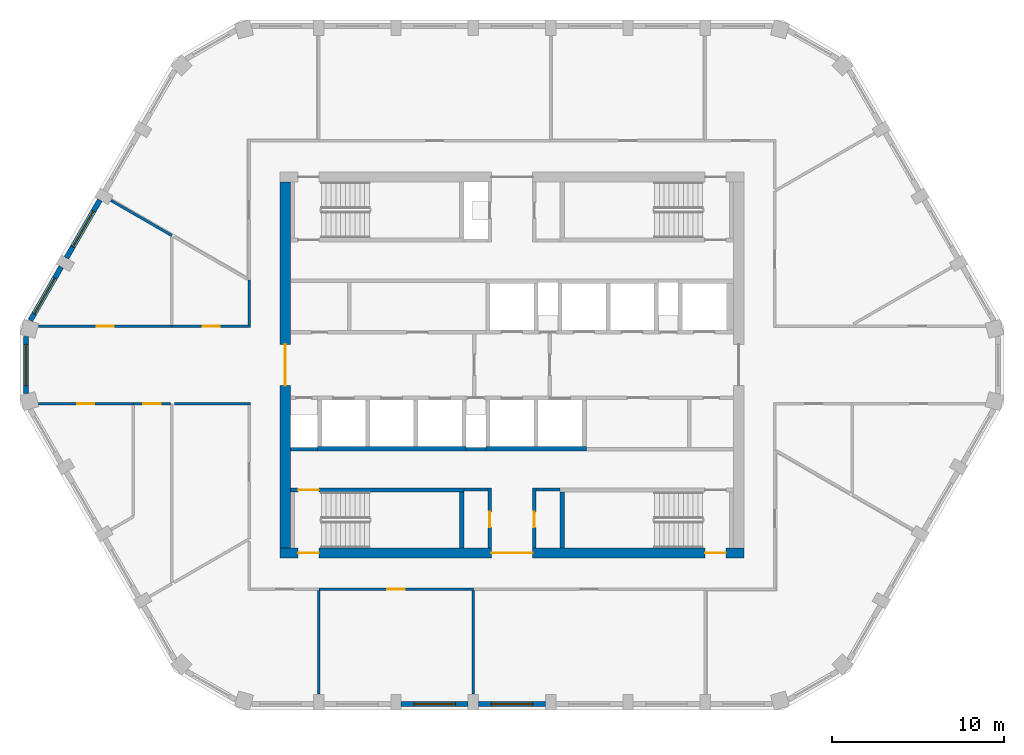
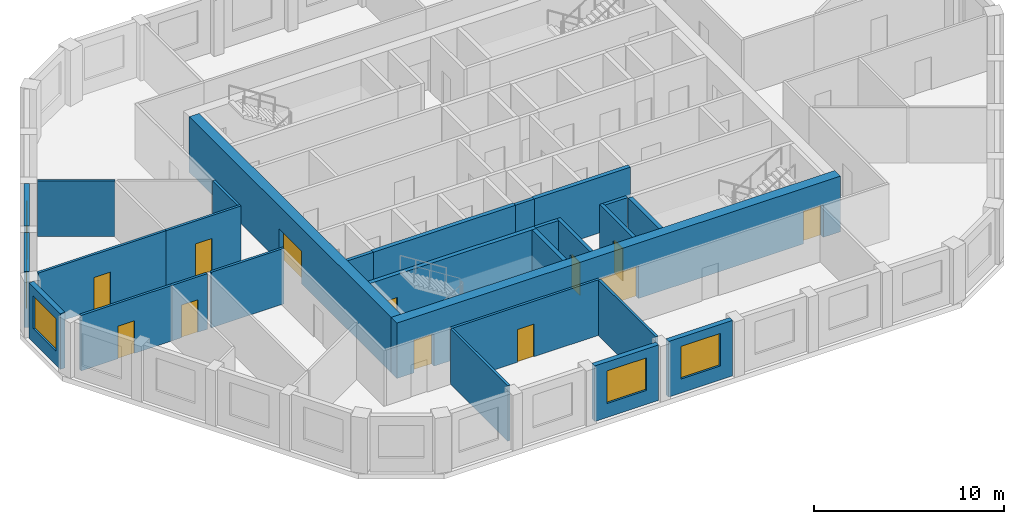
# One storey, part 2 of 10: 28 walls, 12 doors, 5 windows, 17 openings.
"""IFC4 building model written with IfcOpenShell, lengths in metres."""

from ifc_helpers import new_model, si_unit, direction, frame, frame_2d, origin, place, context, subcontext, project, spatial, polyline, rectangle, outline, extrude, material, layer, layer_set, type_object, element, fill, save


model = new_model("IFC4")

# Units and contexts
model_context = context("Model", 3, precision=1e-05, world=origin(), true_north=direction((0.0, 1.0)))
body_context = subcontext(model_context, "Body", "Model", "MODEL_VIEW")
ifc_project = project(units=[si_unit("LENGTHUNIT", "METRE"), si_unit("AREAUNIT", "SQUARE_METRE"), si_unit("VOLUMEUNIT", "CUBIC_METRE"), si_unit("PLANEANGLEUNIT", "RADIAN"), si_unit("MASSUNIT", "GRAM", prefix="KILO")], contexts=[model_context])

# Site, building, storey
site_placement = place(None, origin())
site = spatial("IfcSite", under=ifc_project, at=site_placement, CompositionType="ELEMENT")
building_placement = place(site_placement, origin())
building = spatial("IfcBuilding", under=site, at=building_placement, Name="Dhurran Vertical Campus", CompositionType="ELEMENT")
storey_placement = place(building_placement, frame((0.0, 0.0, 302.10009765625)))
storey = spatial("IfcBuildingStorey", under=building, at=storey_placement, Name="L75", CompositionType="ELEMENT", Elevation=302.10009765625)

# Wall, opening, window
ifc_material_1 = material(Name="Precast concrete C50/60", Category="concrete")
ifc_layer_1 = layer(ifc_material_1, 0.300048828125)
ifc_layer_set_1 = layer_set([ifc_layer_1], Name="Precast concrete C50/60")
wall_type_1 = type_object("IfcWallType", Name="Precast spandrel wall 300", PredefinedType="SOLIDWALL", material=ifc_layer_set_1)
wall_1_placement = place(storey_placement, frame((-6.449462890625, -19.738525390625, 0.0), z_axis=(0.0, 0.0, 1.0), x_axis=(1.0, 0.0, 0.0)))
wall_1 = element("IfcWall", 1, at=wall_1_placement, inside=storey, type_object=wall_type_1, Name="EW1 L75.02", PredefinedType="SOLIDWALL", context=body_context, shape_type="SweptSolid", body=[
    extrude(rectangle(XDim=3.89892578125, YDim=0.300048828125, at=frame_2d((1.949462890625, 0.0))), origin(), (0.0, 0.0, 1.0), 3.574951171875),
])
opening_1_placement = place(wall_1_placement, frame((0.74951171875, 0.0, 0.89990234375)))
opening_1 = element("IfcOpeningElement", 2, at=opening_1_placement, cuts=wall_1, Name="Opening WT1", PredefinedType="OPENING", context=body_context, shape_type="SweptSolid", body=[
    extrude(rectangle(XDim=2.39990234375, YDim=2.10009765625, at=frame_2d((1.199951171875, 1.050048828125))), frame((0.0, 0.159912109375, 0.0), z_axis=(0.0, -1.0, 0.0), x_axis=(1.0, 0.0, 0.0)), (0.0, 0.0, 1.0), 0.320068359375),
])
ifc_material_2 = material(Name="Aluminium frame with solar-control glass", Category="aluminium")
window_type = type_object("IfcWindowType", Name="Punched window 2400 x 2100", PartitioningType="SINGLE_PANEL", PredefinedType="WINDOW", material=ifc_material_2)
window_1_placement = place(opening_1_placement, origin())
window_1 = element("IfcWindow", 3, at=window_1_placement, inside=storey, type_object=window_type, Name="WT1 L75.02", OverallHeight=2.10009765625, OverallWidth=2.39990234375, PartitioningType="SINGLE_PANEL", PredefinedType="WINDOW", context=body_context, shape_type="SweptSolid", body=[
    extrude(rectangle(XDim=2.39990234375, YDim=2.10009765625, at=frame_2d((1.199951171875, 1.050048828125))), frame((0.0, 0.030029296875, 0.0), z_axis=(0.0, -1.0, 0.0), x_axis=(1.0, 0.0, 0.0)), (0.0, 0.0, 1.0), 0.06005859375),
])
fill(opening_1, window_1)

wall_2_placement = place(storey_placement, frame((-1.949462890625, -19.738525390625, 0.0), z_axis=(0.0, 0.0, 1.0), x_axis=(1.0, 0.0, 0.0)))
wall_2 = element("IfcWall", 4, at=wall_2_placement, inside=storey, type_object=wall_type_1, Name="EW1 L75.03", PredefinedType="SOLIDWALL", context=body_context, shape_type="SweptSolid", body=[
    extrude(rectangle(XDim=3.89892578125, YDim=0.300048828125, at=frame_2d((1.949462890625, 0.0))), origin(), (0.0, 0.0, 1.0), 3.574951171875),
])
opening_2_placement = place(wall_2_placement, frame((0.74951171875, 0.0, 0.89990234375)))
opening_2 = element("IfcOpeningElement", 5, at=opening_2_placement, cuts=wall_2, Name="Opening WT1", PredefinedType="OPENING", context=body_context, shape_type="SweptSolid", body=[
    extrude(rectangle(XDim=2.39990234375, YDim=2.10009765625, at=frame_2d((1.199951171875, 1.050048828125))), frame((0.0, 0.159912109375, 0.0), z_axis=(0.0, -1.0, 0.0), x_axis=(1.0, 0.0, 0.0)), (0.0, 0.0, 1.0), 0.320068359375),
])
window_2_placement = place(opening_2_placement, origin())
window_2 = element("IfcWindow", 6, at=window_2_placement, inside=storey, type_object=window_type, Name="WT1 L75.03", OverallHeight=2.10009765625, OverallWidth=2.39990234375, PartitioningType="SINGLE_PANEL", PredefinedType="WINDOW", context=body_context, shape_type="SweptSolid", body=[
    extrude(rectangle(XDim=2.39990234375, YDim=2.10009765625, at=frame_2d((1.199951171875, 1.050048828125))), frame((0.0, 0.030029296875, 0.0), z_axis=(0.0, -1.0, 0.0), x_axis=(1.0, 0.0, 0.0)), (0.0, 0.0, 1.0), 0.06005859375),
])
fill(opening_2, window_2)

wall_3_placement = place(storey_placement, frame((-23.994384765625, 9.60888671875, 0.0), z_axis=(0.0, 0.0, 1.0), x_axis=(-0.500011542666, -0.866018739521, 0.0)))
wall_3 = element("IfcWall", 7, at=wall_3_placement, inside=storey, type_object=wall_type_1, Name="EW1 L75.28", PredefinedType="SOLIDWALL", context=body_context, shape_type="SweptSolid", body=[
    extrude(rectangle(XDim=3.89892578125, YDim=0.300048828125, at=frame_2d((1.949462890625, 0.0))), origin(), (0.0, 0.0, 1.0), 3.574951171875),
])
opening_3_placement = place(wall_3_placement, frame((0.74951171875, 0.0, 0.89990234375)))
opening_3 = element("IfcOpeningElement", 8, at=opening_3_placement, cuts=wall_3, Name="Opening WT1", PredefinedType="OPENING", context=body_context, shape_type="SweptSolid", body=[
    extrude(rectangle(XDim=2.39990234375, YDim=2.10009765625, at=frame_2d((1.199951171875, 1.050048828125))), frame((0.0, 0.159912109375, 0.0), z_axis=(0.0, -1.0, 0.0), x_axis=(1.0, 0.0, 0.0)), (0.0, 0.0, 1.0), 0.320068359375),
])
window_3_placement = place(opening_3_placement, origin())
window_3 = element("IfcWindow", 9, at=window_3_placement, inside=storey, type_object=window_type, Name="WT1 L75.28", OverallHeight=2.10009765625, OverallWidth=2.39990234375, PartitioningType="SINGLE_PANEL", PredefinedType="WINDOW", context=body_context, shape_type="SweptSolid", body=[
    extrude(rectangle(XDim=2.39990234375, YDim=2.10009765625, at=frame_2d((1.199951171875, 1.050048828125))), frame((0.0, 0.030029296875, 0.0), z_axis=(0.0, -1.0, 0.0), x_axis=(1.0, 0.0, 0.0)), (0.0, 0.0, 1.0), 0.06005859375),
])
fill(opening_3, window_3)

wall_4_placement = place(storey_placement, frame((-26.244384765625, 5.7119140625, 0.0), z_axis=(0.0, 0.0, 1.0), x_axis=(-0.499969057507, -0.866043267704, 0.0)))
wall_4 = element("IfcWall", 10, at=wall_4_placement, inside=storey, type_object=wall_type_1, Name="EW1 L75.29", PredefinedType="SOLIDWALL", context=body_context, shape_type="SweptSolid", body=[
    extrude(rectangle(XDim=3.599365234375, YDim=0.300048828125, at=frame_2d((1.7998046875, 0.0))), origin(), (0.0, 0.0, 1.0), 3.574951171875),
])
opening_4_placement = place(wall_4_placement, frame((0.74951171875, 0.0, 0.89990234375)))
opening_4 = element("IfcOpeningElement", 11, at=opening_4_placement, cuts=wall_4, Name="Opening WT1", PredefinedType="OPENING", context=body_context, shape_type="SweptSolid", body=[
    extrude(rectangle(XDim=2.39990234375, YDim=2.10009765625, at=frame_2d((1.199951171875, 1.050048828125))), frame((0.0, 0.159912109375, 0.0), z_axis=(0.0, -1.0, 0.0), x_axis=(1.0, 0.0, 0.0)), (0.0, 0.0, 1.0), 0.320068359375),
])
window_4_placement = place(opening_4_placement, origin())
window_4 = element("IfcWindow", 12, at=window_4_placement, inside=storey, type_object=window_type, Name="WT1 L75.29", OverallHeight=2.10009765625, OverallWidth=2.39990234375, PartitioningType="SINGLE_PANEL", PredefinedType="WINDOW", context=body_context, shape_type="SweptSolid", body=[
    extrude(rectangle(XDim=2.39990234375, YDim=2.10009765625, at=frame_2d((1.199951171875, 1.050048828125))), frame((0.0, 0.030029296875, 0.0), z_axis=(0.0, -1.0, 0.0), x_axis=(1.0, 0.0, 0.0)), (0.0, 0.0, 1.0), 0.06005859375),
])
fill(opening_4, window_4)

wall_5_placement = place(storey_placement, frame((-28.297119140625, 1.64990234375, 0.0), z_axis=(0.0, 0.0, 1.0), x_axis=(0.0, -1.0, 0.0)))
wall_5 = element("IfcWall", 13, at=wall_5_placement, inside=storey, type_object=wall_type_1, Name="EW1 L75.30", PredefinedType="SOLIDWALL", context=body_context, shape_type="SweptSolid", body=[
    extrude(rectangle(XDim=3.2998046875, YDim=0.300048828125, at=frame_2d((1.64990234375, 0.0))), origin(), (0.0, 0.0, 1.0), 3.574951171875),
])
opening_5_placement = place(wall_5_placement, frame((0.449951171875, 0.0, 0.89990234375)))
opening_5 = element("IfcOpeningElement", 14, at=opening_5_placement, cuts=wall_5, Name="Opening WT1", PredefinedType="OPENING", context=body_context, shape_type="SweptSolid", body=[
    extrude(rectangle(XDim=2.39990234375, YDim=2.10009765625, at=frame_2d((1.199951171875, 1.050048828125))), frame((0.0, 0.159912109375, 0.0), z_axis=(0.0, -1.0, 0.0), x_axis=(1.0, 0.0, 0.0)), (0.0, 0.0, 1.0), 0.320068359375),
])
window_5_placement = place(opening_5_placement, origin())
window_5 = element("IfcWindow", 15, at=window_5_placement, inside=storey, type_object=window_type, Name="WT1 L75.30", OverallHeight=2.10009765625, OverallWidth=2.39990234375, PartitioningType="SINGLE_PANEL", PredefinedType="WINDOW", context=body_context, shape_type="SweptSolid", body=[
    extrude(rectangle(XDim=2.39990234375, YDim=2.10009765625, at=frame_2d((1.199951171875, 1.050048828125))), frame((0.0, 0.030029296875, 0.0), z_axis=(0.0, -1.0, 0.0), x_axis=(1.0, 0.0, 0.0)), (0.0, 0.0, 1.0), 0.06005859375),
])
fill(opening_5, window_5)

# Wall, openings, doors
ifc_material_3 = material(Name="Concrete C50/60", Category="concrete")
ifc_layer_2 = layer(ifc_material_3, 0.60009765625)
ifc_layer_set_2 = layer_set([ifc_layer_2], Name="Concrete C50/60")
wall_type_2 = type_object("IfcWallType", Name="co-CORE-WALL-C2-600", PredefinedType="SHEAR", material=ifc_layer_set_2)
wall_6_placement = place(storey_placement, frame((-13.5, -10.949951171875, 0.0), z_axis=(0.0, 0.0, 1.0), x_axis=(1.0, 0.0, 0.0)))
wall_6 = element("IfcWall", 16, at=wall_6_placement, inside=storey, type_object=wall_type_2, Name="Core wall S L75", PredefinedType="SHEAR", context=body_context, shape_type="SweptSolid", body=[
    extrude(rectangle(XDim=27.0, YDim=0.60009765625, at=frame_2d((13.5, 0.0))), origin(), (0.0, 0.0, 1.0), 3.574951171875),
])
opening_6_placement = place(wall_6_placement, frame((12.300048828125, 0.0, 0.0)))
opening_6 = element("IfcOpeningElement", 17, at=opening_6_placement, cuts=wall_6, Name="Opening CV2", PredefinedType="OPENING", context=body_context, shape_type="SweptSolid", body=[
    extrude(rectangle(XDim=2.39990234375, YDim=2.10009765625, at=frame_2d((1.199951171875, 1.050048828125))), frame((0.0, 0.31005859375, 0.0), z_axis=(0.0, -1.0, 0.0), x_axis=(1.0, 0.0, 0.0)), (0.0, 0.0, 1.0), 0.6201171875),
])
opening_7_placement = place(wall_6_placement, frame((1.050048828125, 0.0, 0.0)))
opening_7 = element("IfcOpeningElement", 18, at=opening_7_placement, cuts=wall_6, Name="Opening XD3", PredefinedType="OPENING", context=body_context, shape_type="SweptSolid", body=[
    extrude(rectangle(XDim=1.199951171875, YDim=2.10009765625, at=frame_2d((0.60009765625, 1.050048828125))), frame((0.0, 0.31005859375, 0.0), z_axis=(0.0, -1.0, 0.0), x_axis=(1.0, 0.0, 0.0)), (0.0, 0.0, 1.0), 0.6201171875),
])
opening_8_placement = place(wall_6_placement, frame((24.75, 0.0, 0.0)))
opening_8 = element("IfcOpeningElement", 19, at=opening_8_placement, cuts=wall_6, Name="Opening XD4", PredefinedType="OPENING", context=body_context, shape_type="SweptSolid", body=[
    extrude(rectangle(XDim=1.199951171875, YDim=2.10009765625, at=frame_2d((0.60009765625, 1.050048828125))), frame((0.0, 0.31005859375, 0.0), z_axis=(0.0, -1.0, 0.0), x_axis=(1.0, 0.0, 0.0)), (0.0, 0.0, 1.0), 0.6201171875),
])
ifc_material_4 = material(Name="Fire-rated glazed door set")
door_type_1 = type_object("IfcDoorType", Name="co-D-LOBBY 2400x2100", OperationType="DOUBLE_DOOR_DOUBLE_SWING", PredefinedType="DOOR", material=ifc_material_4)
door_1_placement = place(opening_6_placement, origin())
door_1 = element("IfcDoor", 20, at=door_1_placement, inside=storey, type_object=door_type_1, Name="Core vestibule door S L75", OperationType="DOUBLE_DOOR_DOUBLE_SWING", OverallHeight=2.10009765625, OverallWidth=2.39990234375, PredefinedType="DOOR", context=body_context, shape_type="SweptSolid", body=[
    extrude(rectangle(XDim=2.39990234375, YDim=2.10009765625, at=frame_2d((1.199951171875, 1.050048828125))), frame((0.0, 0.02490234375, 0.0), z_axis=(0.0, -1.0, 0.0), x_axis=(1.0, 0.0, 0.0)), (0.0, 0.0, 1.0), 0.050048828125),
])
fill(opening_6, door_1)
ifc_material_5 = material(Name="Fire-rated steel door set", Category="steel")
door_type_2 = type_object("IfcDoorType", Name="co-D-STAIR-EXIT 1200x2100", OperationType="SINGLE_SWING_RIGHT", PredefinedType="DOOR", material=ifc_material_5)
door_2_placement = place(opening_7_placement, origin())
door_2 = element("IfcDoor", 21, at=door_2_placement, inside=storey, type_object=door_type_2, Name="Stair ST3 exit door L75", OperationType="SINGLE_SWING_RIGHT", OverallHeight=2.10009765625, OverallWidth=1.199951171875, PredefinedType="DOOR", context=body_context, shape_type="SweptSolid", body=[
    extrude(rectangle(XDim=1.199951171875, YDim=2.10009765625, at=frame_2d((0.60009765625, 1.050048828125))), frame((0.0, 0.02490234375, 0.0), z_axis=(0.0, -1.0, 0.0), x_axis=(1.0, 0.0, 0.0)), (0.0, 0.0, 1.0), 0.050048828125),
])
fill(opening_7, door_2)
door_3_placement = place(opening_8_placement, origin())
door_3 = element("IfcDoor", 22, at=door_3_placement, inside=storey, type_object=door_type_2, Name="Stair ST4 exit door L75", OperationType="SINGLE_SWING_RIGHT", OverallHeight=2.10009765625, OverallWidth=1.199951171875, PredefinedType="DOOR", context=body_context, shape_type="SweptSolid", body=[
    extrude(rectangle(XDim=1.199951171875, YDim=2.10009765625, at=frame_2d((0.60009765625, 1.050048828125))), frame((0.0, 0.02490234375, 0.0), z_axis=(0.0, -1.0, 0.0), x_axis=(1.0, 0.0, 0.0)), (0.0, 0.0, 1.0), 0.050048828125),
])
fill(opening_8, door_3)

# Wall, opening, door
wall_7_placement = place(storey_placement, frame((-13.199951171875, -10.64990234375, 0.0), z_axis=(0.0, 0.0, 1.0), x_axis=(0.0, 1.0, 0.0)))
wall_7 = element("IfcWall", 23, at=wall_7_placement, inside=storey, type_object=wall_type_2, Name="Core wall W L75", PredefinedType="SHEAR", context=body_context, shape_type="SweptSolid", body=[
    extrude(rectangle(XDim=21.2998046875, YDim=0.60009765625, at=frame_2d((10.64990234375, 0.0))), origin(), (0.0, 0.0, 1.0), 3.574951171875),
])
opening_9_placement = place(wall_7_placement, frame((9.449951171875, 0.0, 0.0)))
opening_9 = element("IfcOpeningElement", 24, at=opening_9_placement, cuts=wall_7, Name="Opening CL1", PredefinedType="OPENING", context=body_context, shape_type="SweptSolid", body=[
    extrude(rectangle(XDim=2.39990234375, YDim=2.10009765625, at=frame_2d((1.199951171875, 1.050048828125))), frame((0.0, 0.31005859375, 0.0), z_axis=(0.0, -1.0, 0.0), x_axis=(1.0, 0.0, 0.0)), (0.0, 0.0, 1.0), 0.6201171875),
])
door_4_placement = place(opening_9_placement, origin())
door_4 = element("IfcDoor", 25, at=door_4_placement, inside=storey, type_object=door_type_1, Name="Lift lobby door W L75", OperationType="DOUBLE_DOOR_DOUBLE_SWING", OverallHeight=2.10009765625, OverallWidth=2.39990234375, PredefinedType="DOOR", context=body_context, shape_type="SweptSolid", body=[
    extrude(rectangle(XDim=2.39990234375, YDim=2.10009765625, at=frame_2d((1.199951171875, 1.050048828125))), frame((0.0, 0.02490234375, 0.0), z_axis=(0.0, -1.0, 0.0), x_axis=(1.0, 0.0, 0.0)), (0.0, 0.0, 1.0), 0.050048828125),
])
fill(opening_9, door_4)

# Walls
ifc_material_6 = material(Name="Fire-rated masonry blockwork", Category="masonry")
ifc_layer_3 = layer(ifc_material_6, 0.199951171875)
ifc_layer_set_3 = layer_set([ifc_layer_3], Name="Fire-rated masonry blockwork")
wall_type_3 = type_object("IfcWallType", Name="co-FIRE-PARTITION-200", PredefinedType="PARTITIONING", material=ifc_layer_set_3)
for number, where, z_axis, x_axis, name in (
    (26, (-2.800048828125, -7.25, 0.0), (0.0, 0.0, 1.0), (1.0, 0.0, 0.0), "Core partition sl-SW-S L75"),
    (27, (1.39990234375, -7.25, 0.0), (0.0, 0.0, 1.0), (1.0, 0.0, 0.0), "Core partition sl-SE-S L75"),
):
    element("IfcWall", number, at=place(storey_placement, frame(where, z_axis=z_axis, x_axis=x_axis)), inside=storey, type_object=wall_type_3, Name=name, PredefinedType="PARTITIONING", context=body_context, shape_type="SweptSolid", body=[
        extrude(rectangle(XDim=1.400146484375, YDim=0.199951171875, at=frame_2d((0.7001953125, 0.0))), origin(), (0.0, 0.0, 1.0), 3.574951171875),
    ])

# Wall, opening, door
wall_8_placement = place(storey_placement, frame((-1.300048828125, -10.64990234375, 0.0), z_axis=(0.0, 0.0, 1.0), x_axis=(0.0, 1.0, 0.0)))
wall_8 = element("IfcWall", 28, at=wall_8_placement, inside=storey, type_object=wall_type_3, Name="Core partition vest-SW L75", PredefinedType="PARTITIONING", context=body_context, shape_type="SweptSolid", body=[
    extrude(rectangle(XDim=3.5, YDim=0.199951171875, at=frame_2d((1.75, 0.0))), origin(), (0.0, 0.0, 1.0), 3.574951171875),
])
opening_10_placement = place(wall_8_placement, frame((1.199951171875, 0.0, 0.0)))
opening_10 = element("IfcOpeningElement", 29, at=opening_10_placement, cuts=wall_8, Name="Opening T22-C1", PredefinedType="OPENING", context=body_context, shape_type="SweptSolid", body=[
    extrude(rectangle(XDim=0.89990234375, YDim=2.10009765625, at=frame_2d((0.449951171875, 1.050048828125))), frame((0.0, 0.10986328125, 0.0), z_axis=(0.0, -1.0, 0.0), x_axis=(1.0, 0.0, 0.0)), (0.0, 0.0, 1.0), 0.219970703125),
])
ifc_material_7 = material(Name="Fire-rated timber door set", Category="wood")
door_type_3 = type_object("IfcDoorType", Name="co-D-ROOM 900x2100", OperationType="SINGLE_SWING_LEFT", PredefinedType="DOOR", material=ifc_material_7)
door_5_placement = place(opening_10_placement, origin())
door_5 = element("IfcDoor", 30, at=door_5_placement, inside=storey, type_object=door_type_3, Name="Housekeeping store door L75", OperationType="SINGLE_SWING_LEFT", OverallHeight=2.10009765625, OverallWidth=0.89990234375, PredefinedType="DOOR", context=body_context, shape_type="SweptSolid", body=[
    extrude(rectangle(XDim=0.89990234375, YDim=2.10009765625, at=frame_2d((0.449951171875, 1.050048828125))), frame((0.0, 0.02490234375, 0.0), z_axis=(0.0, -1.0, 0.0), x_axis=(1.0, 0.0, 0.0)), (0.0, 0.0, 1.0), 0.050048828125),
])
fill(opening_10, door_5)

wall_9_placement = place(storey_placement, frame((1.300048828125, -10.64990234375, 0.0), z_axis=(0.0, 0.0, 1.0), x_axis=(0.0, 1.0, 0.0)))
wall_9 = element("IfcWall", 31, at=wall_9_placement, inside=storey, type_object=wall_type_3, Name="Core partition vest-SE L75", PredefinedType="PARTITIONING", context=body_context, shape_type="SweptSolid", body=[
    extrude(rectangle(XDim=3.5, YDim=0.199951171875, at=frame_2d((1.75, 0.0))), origin(), (0.0, 0.0, 1.0), 3.574951171875),
])
opening_11_placement = place(wall_9_placement, frame((1.199951171875, 0.0, 0.0)))
opening_11 = element("IfcOpeningElement", 32, at=opening_11_placement, cuts=wall_9, Name="Opening T22-C2", PredefinedType="OPENING", context=body_context, shape_type="SweptSolid", body=[
    extrude(rectangle(XDim=0.89990234375, YDim=2.10009765625, at=frame_2d((0.449951171875, 1.050048828125))), frame((0.0, 0.10986328125, 0.0), z_axis=(0.0, -1.0, 0.0), x_axis=(1.0, 0.0, 0.0)), (0.0, 0.0, 1.0), 0.219970703125),
])
door_6_placement = place(opening_11_placement, origin())
door_6 = element("IfcDoor", 33, at=door_6_placement, inside=storey, type_object=door_type_3, Name="Cleaner's store door L75", OperationType="SINGLE_SWING_LEFT", OverallHeight=2.10009765625, OverallWidth=0.89990234375, PredefinedType="DOOR", context=body_context, shape_type="SweptSolid", body=[
    extrude(rectangle(XDim=0.89990234375, YDim=2.10009765625, at=frame_2d((0.449951171875, 1.050048828125))), frame((0.0, 0.02490234375, 0.0), z_axis=(0.0, -1.0, 0.0), x_axis=(1.0, 0.0, 0.0)), (0.0, 0.0, 1.0), 0.050048828125),
])
fill(opening_11, door_6)

# Walls
wall_10_placement = place(storey_placement, frame((-12.89990234375, -4.89990234375, 0.0), z_axis=(0.0, 0.0, 1.0), x_axis=(1.0, 0.0, 0.0)))
element("IfcWall", 34, at=wall_10_placement, inside=storey, type_object=wall_type_3, Name="Core partition fr-S0-b L75", PredefinedType="PARTITIONING", context=body_context, shape_type="SweptSolid", body=[
    extrude(rectangle(XDim=1.574951171875, YDim=0.199951171875, at=frame_2d((0.78759765625, 0.0))), origin(), (0.0, 0.0, 1.0), 3.574951171875),
])
wall_11_placement = place(storey_placement, frame((-2.675048828125, -4.89990234375, 0.0), z_axis=(0.0, 0.0, 1.0), x_axis=(1.0, 0.0, 0.0)))
element("IfcWall", 35, at=wall_11_placement, inside=storey, type_object=wall_type_3, Name="Core partition fr-S1-b L75", PredefinedType="PARTITIONING", context=body_context, shape_type="SweptSolid", body=[
    extrude(rectangle(XDim=1.150146484375, YDim=0.199951171875, at=frame_2d((0.5751953125, 0.0))), origin(), (0.0, 0.0, 1.0), 3.574951171875),
])
ifc_material_8 = material(Name="Concrete C50/60", Category="concrete")
ifc_layer_4 = layer(ifc_material_8, 0.25)
ifc_layer_set_4 = layer_set([ifc_layer_4], Name="Concrete C50/60")
wall_type_4 = type_object("IfcWallType", Name="co-SHAFT-MASS-250", PredefinedType="SHEAR", material=ifc_layer_set_4)
wall_12_placement = place(storey_placement, origin())
element("IfcWall", 36, at=wall_12_placement, inside=storey, type_object=wall_type_4, Name="Lift shaft wall S L75 1", PredefinedType="SHEAR", context=body_context, shape_type="SweptSolid", body=[
    extrude(outline(polyline([(-11.324951171875, -5.0), (-2.675048828125, -5.0), (-2.675048828125, -4.75), (-11.324951171875, -4.75), (-11.324951171875, -5.0)])), origin(), (0.0, 0.0, 1.0), 3.574951171875),
])
wall_13_placement = place(storey_placement, origin())
element("IfcWall", 37, at=wall_13_placement, inside=storey, type_object=wall_type_4, Name="Lift shaft wall S L75 2", PredefinedType="SHEAR", context=body_context, shape_type="SweptSolid", body=[
    extrude(outline(polyline([(-1.52490234375, -5.0), (4.324951171875, -5.0), (4.324951171875, -4.75), (-1.52490234375, -4.75), (-1.52490234375, -5.0)])), origin(), (0.0, 0.0, 1.0), 3.574951171875),
])

# Wall, opening, door
ifc_material_9 = material(Name="Concrete C40/50", Category="concrete")
ifc_layer_5 = layer(ifc_material_9, 0.25)
ifc_layer_set_5 = layer_set([ifc_layer_5], Name="Concrete C40/50")
wall_type_5 = type_object("IfcWallType", Name="co-STAIR-WALL-250", PredefinedType="SHEAR", material=ifc_layer_set_5)
wall_14_placement = place(storey_placement, frame((-12.89990234375, -7.27490234375, 0.0), z_axis=(0.0, 0.0, 1.0), x_axis=(1.0, 0.0, 0.0)))
wall_14 = element("IfcWall", 38, at=wall_14_placement, inside=storey, type_object=wall_type_5, Name="Stair ST3 enclosure wall L75", PredefinedType="SHEAR", context=body_context, shape_type="SweptSolid", body=[
    extrude(rectangle(XDim=10.099853515625, YDim=0.25, at=frame_2d((5.0498046875, 0.0))), origin(), (0.0, 0.0, 1.0), 3.574951171875),
])
opening_12_placement = place(wall_14_placement, frame((0.449951171875, 0.0, 0.0)))
opening_12 = element("IfcOpeningElement", 39, at=opening_12_placement, cuts=wall_14, Name="Opening SD3", PredefinedType="OPENING", context=body_context, shape_type="SweptSolid", body=[
    extrude(rectangle(XDim=1.199951171875, YDim=2.10009765625, at=frame_2d((0.60009765625, 1.050048828125))), frame((0.0, 0.135009765625, 0.0), z_axis=(0.0, -1.0, 0.0), x_axis=(1.0, 0.0, 0.0)), (0.0, 0.0, 1.0), 0.27001953125),
])
ifc_material_10 = material(Name="Fire-rated steel door set", Category="steel")
door_type_4 = type_object("IfcDoorType", Name="co-D-STAIR 1200x2100", OperationType="SINGLE_SWING_LEFT", PredefinedType="DOOR", material=ifc_material_10)
door_7_placement = place(opening_12_placement, origin())
door_7 = element("IfcDoor", 40, at=door_7_placement, inside=storey, type_object=door_type_4, Name="Stair ST3 door L75", OperationType="SINGLE_SWING_LEFT", OverallHeight=2.10009765625, OverallWidth=1.199951171875, PredefinedType="DOOR", context=body_context, shape_type="SweptSolid", body=[
    extrude(rectangle(XDim=1.199951171875, YDim=2.10009765625, at=frame_2d((0.60009765625, 1.050048828125))), frame((0.0, 0.02490234375, 0.0), z_axis=(0.0, -1.0, 0.0), x_axis=(1.0, 0.0, 0.0)), (0.0, 0.0, 1.0), 0.050048828125),
])
fill(opening_12, door_7)

# Walls
for number, where, z_axis, x_axis, name in (
    (41, (-2.925048828125, -10.64990234375, 0.0), (0.0, 0.0, 1.0), (0.0, 1.0, 0.0), "Stair ST3 enclosure wall L75"),
    (42, (2.925048828125, -10.64990234375, 0.0), (0.0, 0.0, 1.0), (0.0, 1.0, 0.0), "Stair ST4 enclosure wall L75"),
):
    element("IfcWall", number, at=place(storey_placement, frame(where, z_axis=z_axis, x_axis=x_axis)), inside=storey, type_object=wall_type_5, Name=name, PredefinedType="SHEAR", context=body_context, shape_type="SweptSolid", body=[
        extrude(rectangle(XDim=3.25, YDim=0.25, at=frame_2d((1.625, 0.0))), origin(), (0.0, 0.0, 1.0), 3.574951171875),
    ])

# Wall, opening, door
ifc_material_11 = material(Name="Gypsum board corridor wall on steel studs", Category="steel")
ifc_layer_6 = layer(ifc_material_11, 0.14990234375)
ifc_layer_set_6 = layer_set([ifc_layer_6], Name="Gypsum board corridor wall on steel studs")
wall_type_6 = type_object("IfcWallType", Name="fl-CW-150 corridor wall", PredefinedType="PARTITIONING", material=ifc_layer_set_6)
wall_15_placement = place(storey_placement, frame((-22.050048828125, -2.25, 0.0), z_axis=(0.0, 0.0, 1.0), x_axis=(-1.0, 0.0, 0.0)))
wall_15 = element("IfcWall", 43, at=wall_15_placement, inside=storey, type_object=wall_type_6, Name="Partition 75-01", PredefinedType="PARTITIONING", context=body_context, shape_type="SweptSolid", body=[
    extrude(rectangle(XDim=5.519775390625, YDim=0.14990234375, at=frame_2d((2.759765625, 0.0))), origin(), (0.0, 0.0, 1.0), 3.574951171875),
])
opening_13_placement = place(wall_15_placement, frame((2.260009765625, 0.0, 0.0)))
opening_13 = element("IfcOpeningElement", 44, at=opening_13_placement, cuts=wall_15, Name="Opening T22.01", PredefinedType="OPENING", context=body_context, shape_type="SweptSolid", body=[
    extrude(rectangle(XDim=1.0, YDim=2.10009765625, at=frame_2d((0.5, 1.050048828125))), frame((0.0, 0.0849609375, 0.0), z_axis=(0.0, -1.0, 0.0), x_axis=(1.0, 0.0, 0.0)), (0.0, 0.0, 1.0), 0.169921875),
])
ifc_material_12 = material(Name="Solid-core timber door set, fire-rated", Category="wood")
door_type_5 = type_object("IfcDoorType", Name="fl-D-1000x2100", OperationType="SINGLE_SWING_LEFT", PredefinedType="DOOR", material=ifc_material_12)
door_8_placement = place(opening_13_placement, origin())
door_8 = element("IfcDoor", 45, at=door_8_placement, inside=storey, type_object=door_type_5, Name="Door 75.01", OperationType="SINGLE_SWING_LEFT", OverallHeight=2.10009765625, OverallWidth=1.0, PredefinedType="DOOR", context=body_context, shape_type="SweptSolid", body=[
    extrude(rectangle(XDim=1.0, YDim=2.10009765625, at=frame_2d((0.5, 1.050048828125))), frame((0.0, 0.02490234375, 0.0), z_axis=(0.0, -1.0, 0.0), x_axis=(1.0, 0.0, 0.0)), (0.0, 0.0, 1.0), 0.050048828125),
])
fill(opening_13, door_8)

wall_16_placement = place(storey_placement, frame((-27.56982421875, 2.25, 0.0), z_axis=(0.0, 0.0, 1.0), x_axis=(1.0, 0.0, 0.0)))
wall_16 = element("IfcWall", 46, at=wall_16_placement, inside=storey, type_object=wall_type_6, Name="Partition 75-02", PredefinedType="PARTITIONING", context=body_context, shape_type="SweptSolid", body=[
    extrude(rectangle(XDim=7.769775390625, YDim=0.14990234375, at=frame_2d((3.884765625, 0.0))), origin(), (0.0, 0.0, 1.0), 3.574951171875),
])
opening_14_placement = place(wall_16_placement, frame((3.385009765625, 0.0, 0.0)))
opening_14 = element("IfcOpeningElement", 47, at=opening_14_placement, cuts=wall_16, Name="Opening T22.02", PredefinedType="OPENING", context=body_context, shape_type="SweptSolid", body=[
    extrude(rectangle(XDim=1.0, YDim=2.10009765625, at=frame_2d((0.5, 1.050048828125))), frame((0.0, 0.0849609375, 0.0), z_axis=(0.0, -1.0, 0.0), x_axis=(1.0, 0.0, 0.0)), (0.0, 0.0, 1.0), 0.169921875),
])
door_9_placement = place(opening_14_placement, origin())
door_9 = element("IfcDoor", 48, at=door_9_placement, inside=storey, type_object=door_type_5, Name="Door 75.02", OperationType="SINGLE_SWING_RIGHT", OverallHeight=2.10009765625, OverallWidth=1.0, PredefinedType="DOOR", context=body_context, shape_type="SweptSolid", body=[
    extrude(rectangle(XDim=1.0, YDim=2.10009765625, at=frame_2d((0.5, 1.050048828125))), frame((0.0, 0.02490234375, 0.0), z_axis=(0.0, -1.0, 0.0), x_axis=(1.0, 0.0, 0.0)), (0.0, 0.0, 1.0), 0.050048828125),
])
fill(opening_14, door_9)

wall_17_placement = place(storey_placement, frame((-19.876953125, -2.25, 0.0), z_axis=(0.0, 0.0, 1.0), x_axis=(-1.0, 0.0, 0.0)))
wall_17 = element("IfcWall", 49, at=wall_17_placement, inside=storey, type_object=wall_type_6, Name="Partition 75-06", PredefinedType="PARTITIONING", context=body_context, shape_type="SweptSolid", body=[
    extrude(rectangle(XDim=2.173095703125, YDim=0.14990234375, at=frame_2d((1.08642578125, 0.0))), origin(), (0.0, 0.0, 1.0), 3.574951171875),
])
opening_15_placement = place(wall_17_placement, frame((0.58642578125, 0.0, 0.0)))
opening_15 = element("IfcOpeningElement", 50, at=opening_15_placement, cuts=wall_17, Name="Opening T22.03", PredefinedType="OPENING", context=body_context, shape_type="SweptSolid", body=[
    extrude(rectangle(XDim=1.0, YDim=2.10009765625, at=frame_2d((0.5, 1.050048828125))), frame((0.0, 0.0849609375, 0.0), z_axis=(0.0, -1.0, 0.0), x_axis=(1.0, 0.0, 0.0)), (0.0, 0.0, 1.0), 0.169921875),
])
door_10_placement = place(opening_15_placement, origin())
door_10 = element("IfcDoor", 51, at=door_10_placement, inside=storey, type_object=door_type_5, Name="Door 75.03", OperationType="SINGLE_SWING_LEFT", OverallHeight=2.10009765625, OverallWidth=1.0, PredefinedType="DOOR", context=body_context, shape_type="SweptSolid", body=[
    extrude(rectangle(XDim=1.0, YDim=2.10009765625, at=frame_2d((0.5, 1.050048828125))), frame((0.0, 0.02490234375, 0.0), z_axis=(0.0, -1.0, 0.0), x_axis=(1.0, 0.0, 0.0)), (0.0, 0.0, 1.0), 0.050048828125),
])
fill(opening_15, door_10)

wall_18_placement = place(storey_placement, frame((-19.800048828125, 2.25, 0.0), z_axis=(0.0, 0.0, 1.0), x_axis=(1.0, 0.0, 0.0)))
wall_18 = element("IfcWall", 52, at=wall_18_placement, inside=storey, type_object=wall_type_6, Name="Partition 75-11", PredefinedType="PARTITIONING", context=body_context, shape_type="SweptSolid", body=[
    extrude(rectangle(XDim=4.574951171875, YDim=0.14990234375, at=frame_2d((2.28759765625, 0.0))), origin(), (0.0, 0.0, 1.0), 3.574951171875),
])
opening_16_placement = place(wall_18_placement, frame((1.78759765625, 0.0, 0.0)))
opening_16 = element("IfcOpeningElement", 53, at=opening_16_placement, cuts=wall_18, Name="Opening T22.04", PredefinedType="OPENING", context=body_context, shape_type="SweptSolid", body=[
    extrude(rectangle(XDim=1.0, YDim=2.10009765625, at=frame_2d((0.5, 1.050048828125))), frame((0.0, 0.0849609375, 0.0), z_axis=(0.0, -1.0, 0.0), x_axis=(1.0, 0.0, 0.0)), (0.0, 0.0, 1.0), 0.169921875),
])
door_11_placement = place(opening_16_placement, origin())
door_11 = element("IfcDoor", 54, at=door_11_placement, inside=storey, type_object=door_type_5, Name="Door 75.04", OperationType="SINGLE_SWING_RIGHT", OverallHeight=2.10009765625, OverallWidth=1.0, PredefinedType="DOOR", context=body_context, shape_type="SweptSolid", body=[
    extrude(rectangle(XDim=1.0, YDim=2.10009765625, at=frame_2d((0.5, 1.050048828125))), frame((0.0, 0.02490234375, 0.0), z_axis=(0.0, -1.0, 0.0), x_axis=(1.0, 0.0, 0.0)), (0.0, 0.0, 1.0), 0.050048828125),
])
fill(opening_16, door_11)

# Walls
wall_19_placement = place(storey_placement, frame((-15.22509765625, -2.25, 0.0), z_axis=(0.0, 0.0, 1.0), x_axis=(-1.0, 0.0, 0.0)))
element("IfcWall", 55, at=wall_19_placement, inside=storey, type_object=wall_type_6, Name="Partition 75-13", PredefinedType="PARTITIONING", context=body_context, shape_type="SweptSolid", body=[
    extrude(rectangle(XDim=4.421875, YDim=0.14990234375, at=frame_2d((2.2109375, 0.0))), origin(), (0.0, 0.0, 1.0), 3.574951171875),
])
wall_20_placement = place(storey_placement, frame((-15.300048828125, 4.93603515625, 0.0), z_axis=(0.0, 0.0, 1.0), x_axis=(0.0, -1.0, 0.0)))
element("IfcWall", 56, at=wall_20_placement, inside=storey, type_object=wall_type_6, Name="Partition 75-17", PredefinedType="PARTITIONING", context=body_context, shape_type="SweptSolid", body=[
    extrude(rectangle(XDim=2.611083984375, YDim=0.14990234375, at=frame_2d((1.3056640625, 0.0))), origin(), (0.0, 0.0, 1.0), 3.574951171875),
])

# Wall, opening, door
wall_21_placement = place(storey_placement, frame((-11.25, -13.050048828125, 0.0), z_axis=(0.0, 0.0, 1.0), x_axis=(1.0, 0.0, 0.0)))
wall_21 = element("IfcWall", 57, at=wall_21_placement, inside=storey, type_object=wall_type_6, Name="Partition 75-21", PredefinedType="PARTITIONING", context=body_context, shape_type="SweptSolid", body=[
    extrude(rectangle(XDim=9.0, YDim=0.14990234375, at=frame_2d((4.5, 0.0))), origin(), (0.0, 0.0, 1.0), 3.574951171875),
])
opening_17_placement = place(wall_21_placement, frame((4.0, 0.0, 0.0)))
opening_17 = element("IfcOpeningElement", 58, at=opening_17_placement, cuts=wall_21, Name="Opening T22.08", PredefinedType="OPENING", context=body_context, shape_type="SweptSolid", body=[
    extrude(rectangle(XDim=1.0, YDim=2.10009765625, at=frame_2d((0.5, 1.050048828125))), frame((0.0, 0.0849609375, 0.0), z_axis=(0.0, -1.0, 0.0), x_axis=(1.0, 0.0, 0.0)), (0.0, 0.0, 1.0), 0.169921875),
])
door_12_placement = place(opening_17_placement, origin())
door_12 = element("IfcDoor", 59, at=door_12_placement, inside=storey, type_object=door_type_5, Name="Door 75.08", OperationType="SINGLE_SWING_LEFT", OverallHeight=2.10009765625, OverallWidth=1.0, PredefinedType="DOOR", context=body_context, shape_type="SweptSolid", body=[
    extrude(rectangle(XDim=1.0, YDim=2.10009765625, at=frame_2d((0.5, 1.050048828125))), frame((0.0, 0.02490234375, 0.0), z_axis=(0.0, -1.0, 0.0), x_axis=(1.0, 0.0, 0.0)), (0.0, 0.0, 1.0), 0.050048828125),
])
fill(opening_17, door_12)

# Walls
ifc_material_13 = material(Name="Gypsum board partition on steel studs", Category="steel")
ifc_layer_7 = layer(ifc_material_13, 0.14990234375)
ifc_layer_set_7 = layer_set([ifc_layer_7], Name="Gypsum board partition on steel studs")
wall_type_7 = type_object("IfcWallType", Name="fl-PW-150 fixed partition", PredefinedType="PARTITIONING", material=ifc_layer_set_7)
wall_22_placement = place(storey_placement, frame((-23.350341796875, 9.583984375, 0.0), z_axis=(0.0, 0.0, 1.0), x_axis=(0.865995170514, -0.500052361904, 0.0)))
element("IfcWall", 60, at=wall_22_placement, inside=storey, type_object=wall_type_7, Name="Partition 75-04", PredefinedType="PARTITIONING", context=body_context, shape_type="SweptSolid", body=[
    extrude(rectangle(XDim=4.099609375, YDim=0.14990234375, at=frame_2d((2.0498046875, 0.0))), origin(), (0.0, 0.0, 1.0), 3.574951171875),
])
for number, where, z_axis, x_axis, name in (
    (61, (-11.25, -13.125, 0.0), (0.0, 0.0, 1.0), (0.0, -1.0, 0.0), "Partition 75-20"),
    (62, (-2.25, -13.125, 0.0), (0.0, 0.0, 1.0), (0.0, -1.0, 0.0), "Partition 75-24"),
):
    element("IfcWall", number, at=place(storey_placement, frame(where, z_axis=z_axis, x_axis=x_axis)), inside=storey, type_object=wall_type_7, Name=name, PredefinedType="PARTITIONING", context=body_context, shape_type="SweptSolid", body=[
        extrude(rectangle(XDim=6.04345703125, YDim=0.14990234375, at=frame_2d((3.021728515625, 0.0))), origin(), (0.0, 0.0, 1.0), 3.574951171875),
    ])

save(model, "model.ifc")
